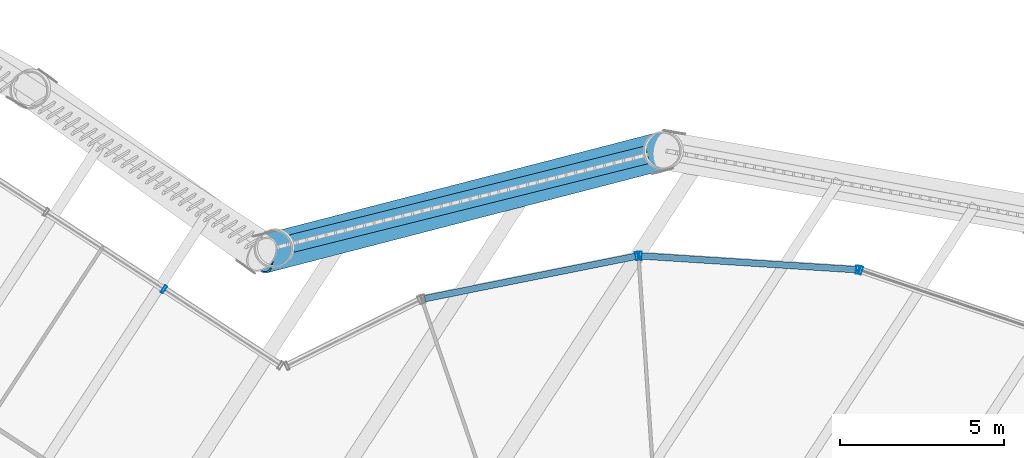
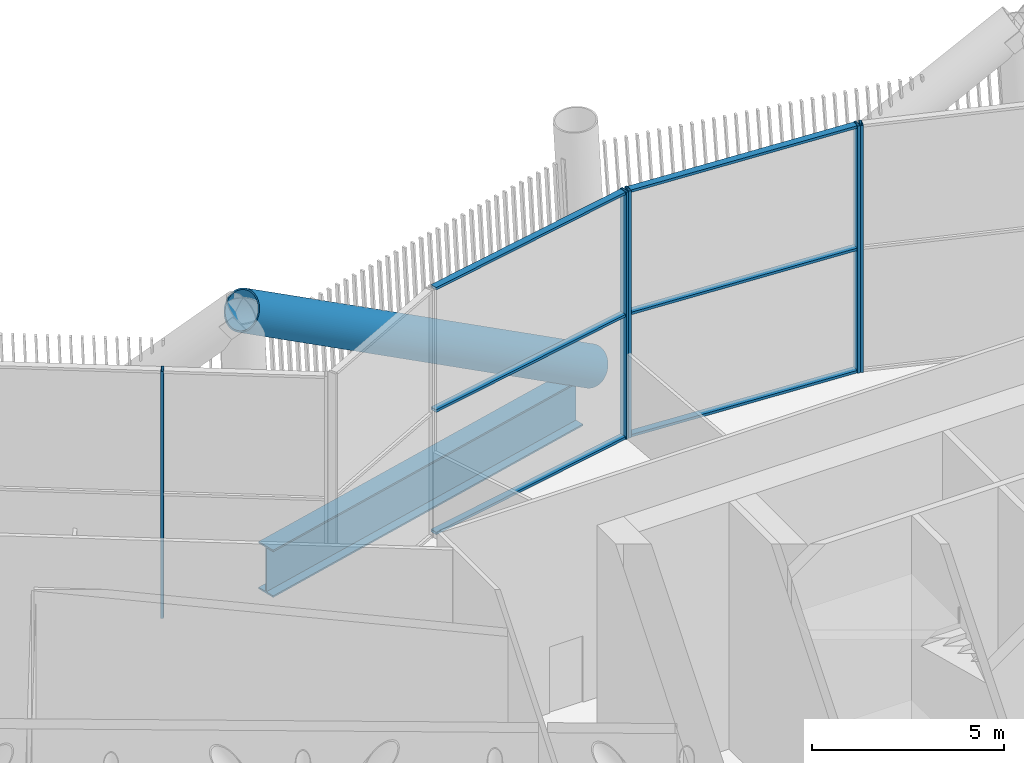
# One storey, part 34 of 63: 12 members, 1 beam, 4 elements without a shape of their own.
"""IFC4 building model written with IfcOpenShell, lengths in metres."""

from ifc_helpers import new_model, si_unit, direction, frame, origin, origin_2d, place, context, subcontext, project, spatial, hollow_rectangle, hollow_circle, i_section, extrude, material, layer, layer_set, material_profile, profile_set, type_object, element, aggregate, save


model = new_model("IFC4")

# Units and contexts
model_context = context("Model", 3, precision=1e-05, world=origin(), true_north=direction((0.0, 1.0)))
body_context = subcontext(model_context, "Body", "Model", "MODEL_VIEW")
ifc_project = project(units=[si_unit("LENGTHUNIT", "METRE"), si_unit("AREAUNIT", "SQUARE_METRE"), si_unit("VOLUMEUNIT", "CUBIC_METRE"), si_unit("PLANEANGLEUNIT", "RADIAN"), si_unit("MASSUNIT", "GRAM", prefix="KILO")], contexts=[model_context])

# Site, building, storey
site_placement = place(None, origin())
site = spatial("IfcSite", under=ifc_project, at=site_placement, CompositionType="ELEMENT")
building_placement = place(site_placement, origin())
building = spatial("IfcBuilding", under=site, at=building_placement, Name="Tarsis Ring Headquarters", CompositionType="ELEMENT")
storey_placement = place(building_placement, frame((0.0, 0.0, 139.60009765625)))
storey = spatial("IfcBuildingStorey", under=building, at=storey_placement, Name="L32", CompositionType="ELEMENT", Elevation=139.60009765625)

# Curtain wall, member
ifc_material_1 = material(Name="Aluminium curtain wall", Category="aluminium")
ifc_layer = layer(ifc_material_1, 0.25)
ifc_layer_set = layer_set([ifc_layer], Name="Curtain wall sky lobby")
curtain_wall_type = type_object("IfcCurtainWallType", Name="Curtain wall sky lobby", PredefinedType="NOTDEFINED", material=ifc_layer_set)
curtain_wall_1_placement = place(storey_placement, origin())
curtain_wall_1 = element("IfcCurtainWall", 1, at=curtain_wall_1_placement, inside=storey, type_object=curtain_wall_type, Name="Curtain wall L32-27", PredefinedType="NOTDEFINED")
ifc_material_2 = material(Name="Aluminium mullion", Category="aluminium")
ifc_material_profile_1 = material_profile(ifc_material_2, hollow_rectangle(XDim=0.25, YDim=0.080078125, WallThickness=0.0048828125, at=origin_2d()), Name="RHS 250x80x5")
ifc_profile_set_1 = profile_set([ifc_material_profile_1], Name="Aluminium mullion")
member_type_1 = type_object("IfcMemberType", Name="Curtain wall mullion sky lobby RHS 250x80x5", PredefinedType="MULLION", material=ifc_profile_set_1)
member_1_placement = place(storey_placement, frame((5.061279296875, 25.36669921875, 0.0), z_axis=(0.0, 0.0, 1.0), x_axis=(-0.319951706751, -0.947433852755, 0.0)))
member_1 = element("IfcMember", 2, at=member_1_placement, type_object=member_type_1, Name="CW-S mullion 2", PredefinedType="MULLION", context=body_context, shape_type="SweptSolid", body=[
    extrude(hollow_rectangle(XDim=0.25, YDim=0.080078125, WallThickness=0.0048828125, at=origin_2d()), origin(), (0.0, 0.0, 1.0), 7.83984375),
])
aggregate(curtain_wall_1, [member_1])

# Curtain wall, members
curtain_wall_2_placement = place(storey_placement, origin())
curtain_wall_2 = element("IfcCurtainWall", 3, at=curtain_wall_2_placement, inside=storey, type_object=curtain_wall_type, Name="Curtain wall L32-28", PredefinedType="NOTDEFINED")
member_2_placement = place(storey_placement, frame((4.95166015625, 25.38818359375, 0.0), z_axis=(0.0, 0.0, 1.0), x_axis=(-0.063835557462, -0.997960430881, 0.0)))
member_2 = element("IfcMember", 4, at=member_2_placement, type_object=member_type_1, Name="CW-S mullion 1", PredefinedType="MULLION", context=body_context, shape_type="SweptSolid", body=[
    extrude(hollow_rectangle(XDim=0.25, YDim=0.080078125, WallThickness=0.0048828125, at=origin_2d()), origin(), (0.0, 0.0, 1.0), 7.83984375),
])
member_3_placement = place(storey_placement, frame((-1.676513671875, 25.812255859375, 0.0), z_axis=(0.0, 0.0, 1.0), x_axis=(-0.063835557462, -0.997960430881, 0.0)))
member_3 = element("IfcMember", 5, at=member_3_placement, type_object=member_type_1, Name="CW-S mullion 2", PredefinedType="MULLION", context=body_context, shape_type="SweptSolid", body=[
    extrude(hollow_rectangle(XDim=0.25, YDim=0.080078125, WallThickness=0.0048828125, at=origin_2d()), origin(), (0.0, 0.0, 1.0), 7.83984375),
])

# Curtain wall, member
curtain_wall_3_placement = place(storey_placement, origin())
curtain_wall_3 = element("IfcCurtainWall", 6, at=curtain_wall_3_placement, inside=storey, type_object=curtain_wall_type, Name="Curtain wall L32-29", PredefinedType="NOTDEFINED")
member_4_placement = place(storey_placement, frame((-1.7880859375, 25.8046875, 0.0), z_axis=(0.0, 0.0, 1.0), x_axis=(0.196630671205, -0.980477628068, 0.0)))
member_4 = element("IfcMember", 7, at=member_4_placement, type_object=member_type_1, Name="CW-S mullion 1", PredefinedType="MULLION", context=body_context, shape_type="SweptSolid", body=[
    extrude(hollow_rectangle(XDim=0.25, YDim=0.080078125, WallThickness=0.0048828125, at=origin_2d()), origin(), (0.0, 0.0, 1.0), 7.83984375),
])

curtain_wall_4_placement = place(storey_placement, origin())
curtain_wall_4 = element("IfcCurtainWall", 8, at=curtain_wall_4_placement, inside=storey, type_object=curtain_wall_type, Name="Curtain wall L32-31", PredefinedType="NOTDEFINED")
member_5_placement = place(storey_placement, frame((-16.232421875, 24.791015625, 0.0), z_axis=(0.0, 0.0, 1.0), x_axis=(-0.546978862274, -0.837146417436, 0.0)))
member_5 = element("IfcMember", 9, at=member_5_placement, type_object=member_type_1, Name="CW-S mullion 2", PredefinedType="MULLION", context=body_context, shape_type="SweptSolid", body=[
    extrude(hollow_rectangle(XDim=0.25, YDim=0.080078125, WallThickness=0.0048828125, at=origin_2d()), origin(), (0.0, 0.0, 1.0), 7.83984375),
])
aggregate(curtain_wall_4, [member_5])

# Member
ifc_material_3 = material(Name="Aluminium transom", Category="aluminium")
ifc_material_profile_2 = material_profile(ifc_material_3, hollow_rectangle(XDim=0.199951171875, YDim=0.080078125, WallThickness=0.0048828125, at=origin_2d()), Name="RHS 200x80x5")
ifc_profile_set_2 = profile_set([ifc_material_profile_2], Name="Aluminium transom")
member_type_2 = type_object("IfcMemberType", Name="Curtain wall transom sky lobby RHS 200x80x5", PredefinedType="USERDEFINED", material=ifc_profile_set_2)
member_6_placement = place(storey_placement, frame((4.91162109375, 25.390869140625, 0.039794921875), z_axis=(-0.997961930188, 0.063812114025, 0.0), x_axis=(-0.063812114025, -0.997961930188, 0.0)))
member_6 = element("IfcMember", 10, at=member_6_placement, type_object=member_type_2, Name="CW-S transom 1.1", ObjectType="TRANSOM", PredefinedType="USERDEFINED", context=body_context, shape_type="SweptSolid", body=[
    extrude(hollow_rectangle(XDim=0.199951171875, YDim=0.080078125, WallThickness=0.0048828125, at=origin_2d()), origin(), (0.0, 0.0, 1.0), 6.5615234375),
])

member_7_placement = place(storey_placement, frame((4.91162109375, 25.390869140625, 3.919921875), z_axis=(-0.997961930188, 0.063812114025, 0.0), x_axis=(-0.063812114025, -0.997961930188, 0.0)))
member_7 = element("IfcMember", 11, at=member_7_placement, type_object=member_type_2, Name="CW-S transom 1.2", ObjectType="TRANSOM", PredefinedType="USERDEFINED", context=body_context, shape_type="SweptSolid", body=[
    extrude(hollow_rectangle(XDim=0.199951171875, YDim=0.080078125, WallThickness=0.0048828125, at=origin_2d()), origin(), (0.0, 0.0, 1.0), 6.5615234375),
])

member_8_placement = place(storey_placement, frame((4.91162109375, 25.390869140625, 7.7998046875), z_axis=(-0.997961930188, 0.063812114025, 0.0), x_axis=(-0.063812114025, -0.997961930188, 0.0)))
member_8 = element("IfcMember", 12, at=member_8_placement, type_object=member_type_2, Name="CW-S transom 1.3", ObjectType="TRANSOM", PredefinedType="USERDEFINED", context=body_context, shape_type="SweptSolid", body=[
    extrude(hollow_rectangle(XDim=0.199951171875, YDim=0.080078125, WallThickness=0.0048828125, at=origin_2d()), origin(), (0.0, 0.0, 1.0), 6.5615234375),
])

aggregate(curtain_wall_2, [member_2, member_3, member_6, member_7, member_8])

member_9_placement = place(storey_placement, frame((-1.827392578125, 25.796875, 0.039794921875), z_axis=(-0.980474632321, -0.196645608585, 0.0), x_axis=(0.196645608585, -0.980474632321, 0.0)))
member_9 = element("IfcMember", 13, at=member_9_placement, type_object=member_type_2, Name="CW-S transom 1.1", ObjectType="TRANSOM", PredefinedType="USERDEFINED", context=body_context, shape_type="SweptSolid", body=[
    extrude(hollow_rectangle(XDim=0.199951171875, YDim=0.080078125, WallThickness=0.0048828125, at=origin_2d()), origin(), (0.0, 0.0, 1.0), 6.5615234375),
])

member_10_placement = place(storey_placement, frame((-1.827392578125, 25.796875, 3.919921875), z_axis=(-0.980474632321, -0.196645608585, 0.0), x_axis=(0.196645608585, -0.980474632321, 0.0)))
member_10 = element("IfcMember", 14, at=member_10_placement, type_object=member_type_2, Name="CW-S transom 1.2", ObjectType="TRANSOM", PredefinedType="USERDEFINED", context=body_context, shape_type="SweptSolid", body=[
    extrude(hollow_rectangle(XDim=0.199951171875, YDim=0.080078125, WallThickness=0.0048828125, at=origin_2d()), origin(), (0.0, 0.0, 1.0), 6.5615234375),
])

member_11_placement = place(storey_placement, frame((-1.827392578125, 25.796875, 7.7998046875), z_axis=(-0.980474632321, -0.196645608585, 0.0), x_axis=(0.196645608585, -0.980474632321, 0.0)))
member_11 = element("IfcMember", 15, at=member_11_placement, type_object=member_type_2, Name="CW-S transom 1.3", ObjectType="TRANSOM", PredefinedType="USERDEFINED", context=body_context, shape_type="SweptSolid", body=[
    extrude(hollow_rectangle(XDim=0.199951171875, YDim=0.080078125, WallThickness=0.0048828125, at=origin_2d()), origin(), (0.0, 0.0, 1.0), 6.5615234375),
])

aggregate(curtain_wall_3, [member_4, member_9, member_10, member_11])

ifc_material_4 = material(Name="Structural steel S355", Category="steel")
ifc_material_profile_3 = material_profile(ifc_material_4, hollow_circle(Radius=0.584228515625, WallThickness=0.044921875, at=origin_2d()), Name="CHS 1168x45")
ifc_profile_set_3 = profile_set([ifc_material_profile_3], Name="Structural steel S355")
member_type_3 = type_object("IfcMemberType", Name="TD Belt truss diagonal CHS 1168x45", PredefinedType="BRACE", material=ifc_profile_set_3)
member_12_placement = place(storey_placement, frame((-0.946533203125, 29.033203125, 0.0), z_axis=(-0.819111408299, -0.211664388506, 0.533155406455), x_axis=(0.250189189385, -0.968196968346, 0.0)))
element("IfcMember", 16, at=member_12_placement, inside=storey, type_object=member_type_3, Name="Belt truss diagonal TD3", PredefinedType="BRACE", context=body_context, shape_type="SweptSolid", body=[
    extrude(hollow_circle(Radius=0.584228515625, WallThickness=0.044921875, at=origin_2d()), origin(), (0.0, 0.0, 1.0), 15.005126953125),
])

# Beam
ifc_material_profile_4 = material_profile(ifc_material_4, i_section(OverallWidth=0.550048828125, OverallDepth=1.5, WebThickness=0.030029296875, FlangeThickness=0.050048828125, at=origin_2d()), Name="PG 1500x550x30x50")
ifc_profile_set_4 = profile_set([ifc_material_profile_4], Name="Structural steel S355")
beam_type = type_object("IfcBeamType", Name="XG Ring girder PG 1500x550x30x50", PredefinedType="BEAM", material=ifc_profile_set_4)
beam_placement = place(storey_placement, frame((-1.456787109375, 28.905517578125, -0.75), z_axis=(-0.970134804226, -0.242566406639, 0.0), x_axis=(0.242566406639, -0.970134804226, 0.0)))
element("IfcBeam", 17, at=beam_placement, inside=storey, type_object=beam_type, Name="Ring girder XG6", PredefinedType="BEAM", context=body_context, shape_type="SweptSolid", body=[
    extrude(i_section(OverallWidth=0.550048828125, OverallDepth=1.5, WebThickness=0.030029296875, FlangeThickness=0.050048828125, at=origin_2d()), origin(), (0.0, 0.0, 1.0), 11.197265625),
])

save(model, "model.ifc")
